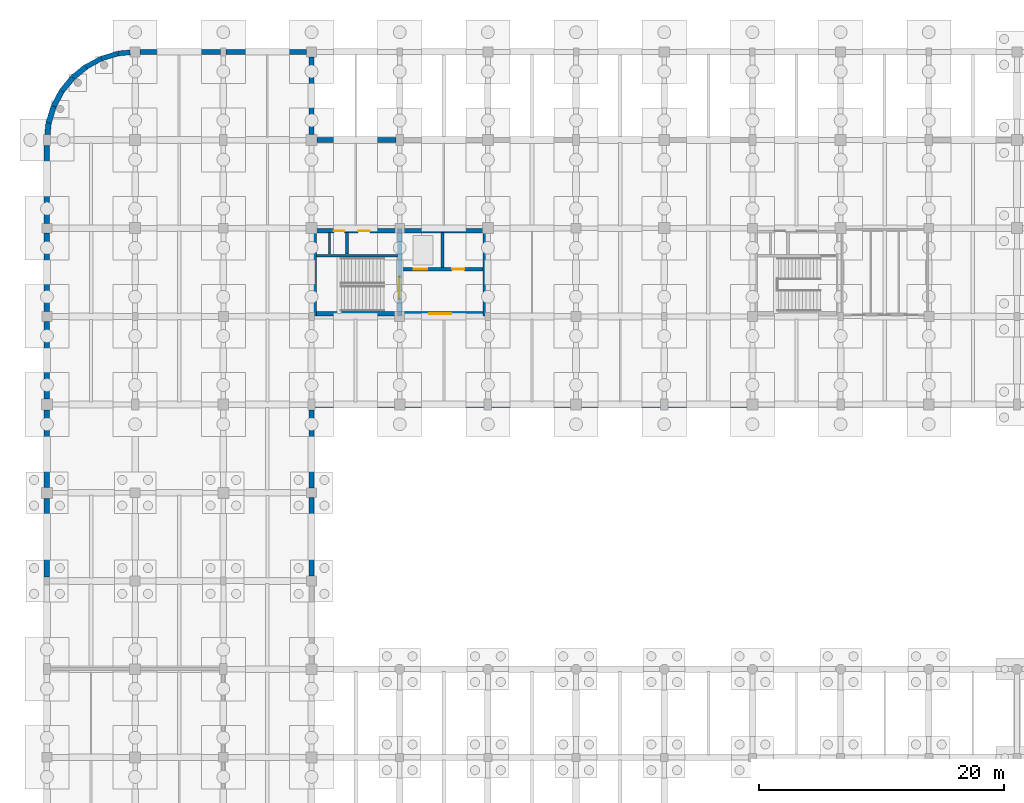
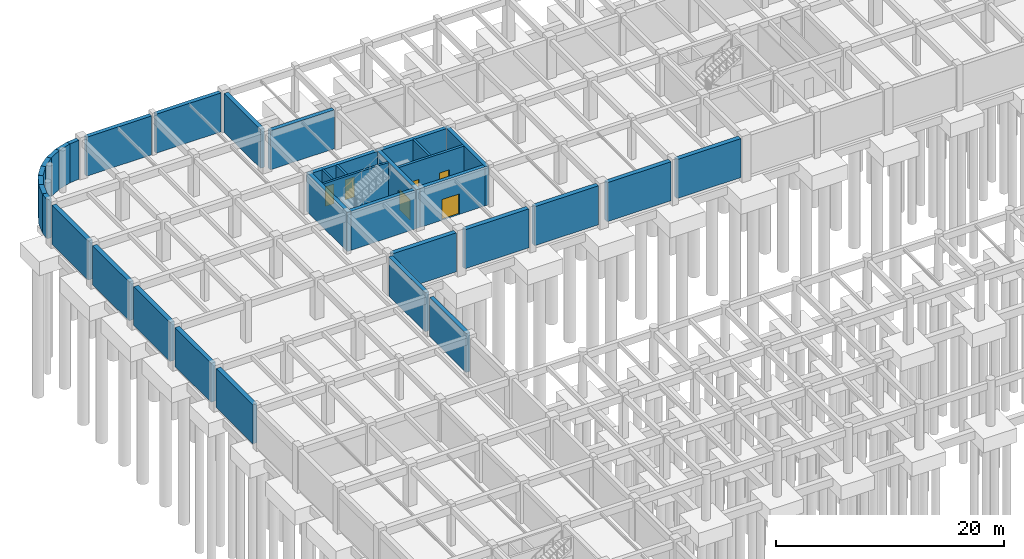
# One storey, part 39 of 47: 36 walls, 6 doors, 6 openings.
"""IFC4 building model written with IfcOpenShell, lengths in metres."""

import ifcopenshell
import ifcopenshell.guid

model = None  # the IFC model being written
_history = None  # IfcOwnerHistory: only IFC2X3 demands one
_inside = {}  # id of a spatial element -> (the spatial element, [elements in it])
_under = {}  # id of a project, library or spatial element -> (it, [spatial elements below it])
_declared = {}  # id of a project -> (the project, [libraries it declares])
_typed = {}  # id of a type object -> (the type object, [elements of that type])
_made_of = {}  # id of a material, layer set ... -> (it, [elements and type objects made of it])


def new_model(schema):
    """Start an empty IFC model of exactly this schema.

    Asked for "IFC4X3", IfcOpenShell would pick the latest addendum, in which some entities
    have other attributes; the version numbers below select the first issue.
    IFC2X3 requires an IfcOwnerHistory on every rooted entity: one is made here for all.
    """
    global model, _history
    if schema == "IFC4X3":
        model = ifcopenshell.file(schema_version=(4, 3, 0, 0))
    else:
        model = ifcopenshell.file(schema=schema)
    _inside.clear()
    _under.clear()
    _declared.clear()
    _typed.clear()
    _made_of.clear()
    _history = None
    if model.schema == "IFC2X3":
        org = make("IfcOrganization", Name="unknown")
        user = make(
            "IfcPersonAndOrganization",
            ThePerson=make("IfcPerson", FamilyName="unknown"),
            TheOrganization=org,
        )
        app = make(
            "IfcApplication",
            ApplicationDeveloper=org,
            Version="unknown",
            ApplicationFullName="unknown",
            ApplicationIdentifier="unknown",
        )
        _history = make(
            "IfcOwnerHistory",
            OwningUser=user,
            OwningApplication=app,
            ChangeAction="ADDED",
            CreationDate=0,
        )
    return model


def make(cls, **values):
    """One entity of the class cls with the attributes given. An attribute that is None is left unset."""
    return model.create_entity(
        cls, **{name: value for name, value in values.items() if value is not None}
    )


def rooted(cls, **values):
    """An entity with a GlobalId (a new one), such as an element, a storey or a relation."""
    return make(cls, GlobalId=ifcopenshell.guid.new(), OwnerHistory=_history, **values)


def si_unit(unit_type, name, prefix=None):
    """IfcSIUnit, for example si_unit("LENGTHUNIT", "METRE", prefix="MILLI")."""
    return make("IfcSIUnit", UnitType=unit_type, Prefix=prefix, Name=name)


def assignment(units):
    """IfcUnitAssignment: the units of a project."""
    return None if units is None else make("IfcUnitAssignment", Units=units)


def point(xyz):
    """IfcCartesianPoint."""
    return None if xyz is None else make("IfcCartesianPoint", Coordinates=xyz)


def direction(xyz):
    """IfcDirection."""
    return None if xyz is None else make("IfcDirection", DirectionRatios=xyz)


def frame(location, z_axis=None, x_axis=None):
    """IfcAxis2Placement3D, a coordinate frame: its origin and axes. An axis left out is left unset."""
    return make(
        "IfcAxis2Placement3D",
        Location=point(location),
        Axis=direction(z_axis),
        RefDirection=direction(x_axis),
    )


def frame_2d(location, x_axis=None):
    """IfcAxis2Placement2D, a coordinate frame in the plane: its origin and x axis."""
    return make(
        "IfcAxis2Placement2D", Location=point(location), RefDirection=direction(x_axis)
    )


def origin():
    """The frame at (0, 0, 0) with its axes left unset."""
    return frame((0.0, 0.0, 0.0))


def place(relative_to, where):
    """IfcLocalPlacement: puts the frame where relative to a parent placement (None: the world)."""
    return make(
        "IfcLocalPlacement", PlacementRelTo=relative_to, RelativePlacement=where
    )


def context(
    kind, dimensions, precision=None, world=None, true_north=None, identifier=None
):
    """IfcGeometricRepresentationContext, for example the 3D "Model" context."""
    return make(
        "IfcGeometricRepresentationContext",
        ContextIdentifier=identifier,
        ContextType=kind,
        CoordinateSpaceDimension=dimensions,
        Precision=precision,
        WorldCoordinateSystem=world,
        TrueNorth=true_north,
    )


def subcontext(parent, identifier, kind, view, scale=None):
    """IfcGeometricRepresentationSubContext, for example "Body" below "Model"."""
    return make(
        "IfcGeometricRepresentationSubContext",
        ContextIdentifier=identifier,
        ContextType=kind,
        ParentContext=parent,
        TargetScale=scale,
        TargetView=view,
    )


def project(units=None, contexts=None):
    """IfcProject with its units and contexts."""
    return rooted(
        "IfcProject",
        Name="project",
        RepresentationContexts=contexts,
        UnitsInContext=assignment(units),
    )


def spatial(cls, under=None, at=None, **own):
    """A site, building, storey or space (cls), placed at a placement, below another one or the project."""
    s = rooted(cls, ObjectPlacement=at, **own)
    if under is not None:
        _under.setdefault(under.id(), (under, []))[1].append(s)
    return s


def profile(cls, at=None, kind="AREA", **sizes):
    """A parametric profile (cls). Its sizes go by their IFC names, for example OverallWidth=200.0."""
    return make(cls, ProfileType=kind, Position=at, **sizes)


def rectangle(**sizes):
    """IfcRectangleProfileDef."""
    return profile("IfcRectangleProfileDef", **sizes)


def extrude(swept, where, along, depth):
    """IfcExtrudedAreaSolid: the profile swept, set in the frame where, extruded along a direction by depth."""
    return make(
        "IfcExtrudedAreaSolid",
        SweptArea=swept,
        Position=where,
        ExtrudedDirection=direction(along),
        Depth=depth,
    )


def shape(context_of_items, identifier, shape_type, items):
    """IfcShapeRepresentation: the items that make up one representation, for example the "Body"."""
    return make(
        "IfcShapeRepresentation",
        ContextOfItems=context_of_items,
        RepresentationIdentifier=identifier,
        RepresentationType=shape_type,
        Items=items,
    )


def material(Name=None, Category=None):
    """IfcMaterial."""
    return make("IfcMaterial", Name=Name, Category=Category)


def layer(
    of_material, thickness, ventilated=None, Name=None, Category=None, Priority=None
):
    """IfcMaterialLayer: one layer of a wall or slab, of a material (None: an air gap)."""
    return make(
        "IfcMaterialLayer",
        Material=of_material,
        LayerThickness=thickness,
        IsVentilated=ventilated,
        Name=Name,
        Category=Category,
        Priority=Priority,
    )


def layer_set(layers, Name=None):
    """IfcMaterialLayerSet."""
    return make("IfcMaterialLayerSet", MaterialLayers=layers, LayerSetName=Name)


def made_of(thing, what):
    """Note that an element or type object is made of a material, layer set ...; save() writes the relation."""
    if what is not None:
        _made_of.setdefault(what.id(), (what, []))[1].append(thing)
    return thing


def type_object(cls, material=None, **own):
    """A type object (cls), such as IfcWallType, which elements share."""
    return made_of(rooted(cls, **own), material)


def element(
    cls,
    number,
    at=None,
    inside=None,
    cuts=None,
    type_object=None,
    material=None,
    context=None,
    identifier="Body",
    shape_type=None,
    held_by="IfcProductDefinitionShape",
    body=None,
    shapes=None,
    **own,
):
    """One element of the class cls, such as IfcWall. Its Tag is "e" and its number.

    at: its placement. inside: the storey or other place that contains it. cuts: it is an
    opening in that element (IfcRelVoidsElement). A single representation is given by context,
    identifier, shape_type and body (its items); several are given by shapes. held_by: the class
    of the entity that holds the representations. save() writes the other relations.
    """
    e = rooted(cls, Tag="e%d" % number, ObjectPlacement=at, **own)
    if body is not None:
        shapes = [shape(context, identifier, shape_type, body)]
    if shapes is not None:
        e.Representation = make(held_by, Representations=shapes)
    if inside is not None:
        _inside.setdefault(inside.id(), (inside, []))[1].append(e)
    if cuts is not None:
        rooted(
            "IfcRelVoidsElement", RelatingBuildingElement=cuts, RelatedOpeningElement=e
        )
    if type_object is not None:
        _typed.setdefault(type_object.id(), (type_object, []))[1].append(e)
    return made_of(e, material)


def fill(opening, filler):
    """IfcRelFillsElement: the door or window that sits in an opening."""
    return rooted(
        "IfcRelFillsElement",
        RelatingOpeningElement=opening,
        RelatedBuildingElement=filler,
    )


def aggregate(whole, parts):
    """IfcRelAggregates: a whole, such as a stair, and the parts it consists of."""
    return rooted("IfcRelAggregates", RelatingObject=whole, RelatedObjects=parts)


def save(model, path):
    """Write the relations noted so far, then the file.

    IfcRelAggregates (storeys below a building ...), IfcRelContainedInSpatialStructure (elements
    in a storey), IfcRelDefinesByType, IfcRelAssociatesMaterial and IfcRelDeclares: one each for
    every whole, place, type object, material and project.
    """
    for whole, parts in _under.values():
        aggregate(whole, parts)
    for where, things in _inside.values():
        rooted(
            "IfcRelContainedInSpatialStructure",
            RelatedElements=things,
            RelatingStructure=where,
        )
    for kind, things in _typed.values():
        rooted("IfcRelDefinesByType", RelatedObjects=things, RelatingType=kind)
    for what, things in _made_of.values():
        rooted("IfcRelAssociatesMaterial", RelatedObjects=things, RelatingMaterial=what)
    for by, libraries in _declared.values():
        rooted("IfcRelDeclares", RelatingContext=by, RelatedDefinitions=libraries)
    model.write(path)


model = new_model("IFC4")

# Units and contexts
model_context = context("Model", 3, precision=1e-05, world=origin(), true_north=direction((0.0, 1.0)))
body_context = subcontext(model_context, "Body", "Model", "MODEL_VIEW")
ifc_project = project(units=[si_unit("LENGTHUNIT", "METRE"), si_unit("AREAUNIT", "SQUARE_METRE"), si_unit("VOLUMEUNIT", "CUBIC_METRE"), si_unit("PLANEANGLEUNIT", "RADIAN"), si_unit("MASSUNIT", "GRAM", prefix="KILO")], contexts=[model_context])

# Site, building, storey
site_placement = place(None, origin())
site = spatial("IfcSite", under=ifc_project, at=site_placement, CompositionType="ELEMENT")
building_placement = place(site_placement, origin())
building = spatial("IfcBuilding", under=site, at=building_placement, Name="Thalmaran Polytechnic", CompositionType="ELEMENT")
storey_placement = place(building_placement, frame((0.0, 0.0, -4.5)))
storey = spatial("IfcBuildingStorey", under=building, at=storey_placement, Name="B1", CompositionType="ELEMENT", Elevation=-4.5)

# Walls
ifc_material_1 = material(Name="Autoclaved aerated masonry", Category="masonry")
ifc_layer_1 = layer(ifc_material_1, 0.25, Name="Autoclaved aerated masonry")
ifc_layer_set_1 = layer_set([ifc_layer_1], Name="Autoclaved aerated masonry")
wall_type_1 = type_object("IfcWallType", Name="WL-IW01", PredefinedType="PARTITIONING", material=ifc_layer_set_1)
wall_1_placement = place(storey_placement, frame((32.300048828125, 104.780029296875, 0.0), z_axis=(0.0, 0.0, 1.0), x_axis=(0.0, 1.0, 0.0)))
element("IfcWall", 1, at=wall_1_placement, inside=storey, type_object=wall_type_1, Name="Core C2 Shaft Dividing Wall B1", PredefinedType="PARTITIONING", context=body_context, shape_type="SweptSolid", body=[
    extrude(rectangle(XDim=2.869873046875, YDim=0.25, at=frame_2d((1.43505859375, 0.0))), origin(), (0.0, 0.0, 1.0), 4.169921875),
])
ifc_layer_2 = layer(ifc_material_1, 0.22998046875, Name="Autoclaved aerated masonry")
ifc_layer_set_2 = layer_set([ifc_layer_2], Name="Autoclaved aerated masonry")
wall_type_2 = type_object("IfcWallType", Name="WL-IW02", PredefinedType="PARTITIONING", material=ifc_layer_set_2)
wall_2_placement = place(storey_placement, frame((24.5, 105.89990234375, 0.0), z_axis=(0.0, 0.0, 1.0), x_axis=(0.0, 1.0, 0.0)))
element("IfcWall", 2, at=wall_2_placement, inside=storey, type_object=wall_type_2, Name="Core C2 Riser Partition B1", PredefinedType="PARTITIONING", context=body_context, shape_type="SweptSolid", body=[
    extrude(rectangle(XDim=1.739990234375, YDim=0.22998046875, at=frame_2d((0.8701171875, 0.0))), origin(), (0.0, 0.0, 1.0), 4.169921875),
])
ifc_layer_3 = layer(ifc_material_1, 0.179931640625, Name="Autoclaved aerated masonry")
ifc_layer_set_3 = layer_set([ifc_layer_3], Name="Autoclaved aerated masonry")
wall_type_3 = type_object("IfcWallType", Name="WL-IW04", PredefinedType="PARTITIONING", material=ifc_layer_set_3)
wall_3_placement = place(storey_placement, frame((23.080078125, 105.8798828125, 0.0), z_axis=(0.0, 0.0, 1.0), x_axis=(0.0, 1.0, 0.0)))
element("IfcWall", 3, at=wall_3_placement, inside=storey, type_object=wall_type_3, Name="Core C2 Riser Shaft Enclosure Wall B1", PredefinedType="PARTITIONING", context=body_context, shape_type="SweptSolid", body=[
    extrude(rectangle(XDim=1.760009765625, YDim=0.179931640625, at=frame_2d((0.8798828125, 0.0))), origin(), (0.0, 0.0, 1.0), 4.169921875),
])
ifc_material_2 = material(Name="Concrete C40/50", Category="concrete")
ifc_layer_4 = layer(ifc_material_2, 0.449951171875, Name="Concrete C40/50")
ifc_layer_set_4 = layer_set([ifc_layer_4], Name="Concrete C40/50")
wall_type_4 = type_object("IfcWallType", Name="WL-RW01", PredefinedType="SOLIDWALL", material=ifc_layer_set_4)
wall_4_placement = place(storey_placement, frame((0.0, 79.52490234375, 0.0), z_axis=(0.0, 0.0, 1.0), x_axis=(0.0, 1.0, 0.0)))
element("IfcWall", 4, at=wall_4_placement, inside=storey, type_object=wall_type_4, Name="Basement Retaining Wall B1-013", PredefinedType="SOLIDWALL", context=body_context, shape_type="SweptSolid", body=[
    extrude(rectangle(XDim=6.425048828125, YDim=0.449951171875, at=frame_2d((3.21240234375, 0.0))), origin(), (0.0, 0.0, 1.0), 4.169921875),
])
wall_5_placement = place(storey_placement, frame((0.0, 86.85009765625, 0.0), z_axis=(0.0, 0.0, 1.0), x_axis=(0.0, 1.0, 0.0)))
element("IfcWall", 5, at=wall_5_placement, inside=storey, type_object=wall_type_4, Name="Basement Retaining Wall B1-014", PredefinedType="SOLIDWALL", context=body_context, shape_type="SweptSolid", body=[
    extrude(rectangle(XDim=6.309814453125, YDim=0.449951171875, at=frame_2d((3.15478515625, 0.0))), origin(), (0.0, 0.0, 1.0), 4.169921875),
])
wall_6_placement = place(storey_placement, frame((0.0, 94.0400390625, 0.0), z_axis=(0.0, 0.0, 1.0), x_axis=(0.0, 1.0, 0.0)))
element("IfcWall", 6, at=wall_6_placement, inside=storey, type_object=wall_type_4, Name="Basement Retaining Wall B1-015", PredefinedType="SOLIDWALL", context=body_context, shape_type="SweptSolid", body=[
    extrude(rectangle(XDim=6.349853515625, YDim=0.449951171875, at=frame_2d((3.1748046875, 0.0))), origin(), (0.0, 0.0, 1.0), 4.169921875),
])
wall_7_placement = place(storey_placement, frame((0.0, 101.2099609375, 0.0), z_axis=(0.0, 0.0, 1.0), x_axis=(0.0, 1.0, 0.0)))
element("IfcWall", 7, at=wall_7_placement, inside=storey, type_object=wall_type_4, Name="Basement Retaining Wall B1-016", PredefinedType="SOLIDWALL", context=body_context, shape_type="SweptSolid", body=[
    extrude(rectangle(XDim=6.39013671875, YDim=0.449951171875, at=frame_2d((3.195068359375, 0.0))), origin(), (0.0, 0.0, 1.0), 4.169921875),
])
wall_8_placement = place(storey_placement, frame((0.0, 108.39990234375, 0.0), z_axis=(0.0, 0.0, 1.0), x_axis=(0.0, 1.0, 0.0)))
element("IfcWall", 8, at=wall_8_placement, inside=storey, type_object=wall_type_4, Name="Basement Retaining Wall B1-017", PredefinedType="SOLIDWALL", context=body_context, shape_type="SweptSolid", body=[
    extrude(rectangle(XDim=6.35009765625, YDim=0.449951171875, at=frame_2d((3.175048828125, 0.0))), origin(), (0.0, 0.0, 1.0), 4.169921875),
])
wall_9_placement = place(storey_placement, frame((0.044189453125, 115.64794921875, 0.0), z_axis=(0.0, 0.0, 1.0), x_axis=(0.098020206159, 0.99518442471, 0.0)))
element("IfcWall", 9, at=wall_9_placement, inside=storey, type_object=wall_type_4, Name="Basement Retaining Wall B1-018", PredefinedType="SOLIDWALL", context=body_context, shape_type="SweptSolid", body=[
    extrude(rectangle(XDim=0.96142578125, YDim=0.449951171875, at=frame_2d((0.480712890625, 0.0))), origin(), (0.0, 0.0, 1.0), 4.169921875),
])
for number, where, z_axis, x_axis, name in (
    (10, (0.138427734375, 116.604736328125, 0.0), (0.0, 0.0, 1.0), (0.290266641956, 0.956945806495, 0.0), "Basement Retaining Wall B1-019"),
    (11, (0.548095703125, 117.955322265625, 0.0), (0.0, 0.0, 1.0), (0.471333199182, 0.881955222984, 0.0), "Basement Retaining Wall B1-020"),
):
    element("IfcWall", number, at=place(storey_placement, frame(where, z_axis=z_axis, x_axis=x_axis)), inside=storey, type_object=wall_type_4, Name=name, PredefinedType="SOLIDWALL", context=body_context, shape_type="SweptSolid", body=[
        extrude(rectangle(XDim=1.411376953125, YDim=0.449951171875, at=frame_2d((0.70556640625, 0.0))), origin(), (0.0, 0.0, 1.0), 4.169921875),
    ])
wall_10_placement = place(storey_placement, frame((1.21337890625, 119.2001953125, 0.0), z_axis=(0.0, 0.0, 1.0), x_axis=(0.634433227965, 0.772977670605, 0.0)))
element("IfcWall", 12, at=wall_10_placement, inside=storey, type_object=wall_type_4, Name="Basement Retaining Wall B1-021", PredefinedType="SOLIDWALL", context=body_context, shape_type="SweptSolid", body=[
    extrude(rectangle(XDim=1.41162109375, YDim=0.449951171875, at=frame_2d((0.705810546875, 0.0))), origin(), (0.0, 0.0, 1.0), 4.169921875),
])
wall_11_placement = place(storey_placement, frame((2.10888671875, 120.291259765625, 0.0), z_axis=(0.0, 0.0, 1.0), x_axis=(0.773062495189, 0.63432986571, 0.0)))
element("IfcWall", 13, at=wall_11_placement, inside=storey, type_object=wall_type_4, Name="Basement Retaining Wall B1-022", PredefinedType="SOLIDWALL", context=body_context, shape_type="SweptSolid", body=[
    extrude(rectangle(XDim=1.411376953125, YDim=0.449951171875, at=frame_2d((0.70556640625, 0.0))), origin(), (0.0, 0.0, 1.0), 4.169921875),
])
wall_12_placement = place(storey_placement, frame((57.159912109375, 93.60009765625, 0.0), z_axis=(0.0, 0.0, 1.0), x_axis=(-1.0, 0.0, 0.0)))
element("IfcWall", 14, at=wall_12_placement, inside=storey, type_object=wall_type_4, Name="Basement Retaining Wall B1-073", PredefinedType="SOLIDWALL", context=body_context, shape_type="SweptSolid", body=[
    extrude(rectangle(XDim=6.4599609375, YDim=0.449951171875, at=frame_2d((3.22998046875, 0.0))), origin(), (0.0, 0.0, 1.0), 4.169921875),
])
wall_13_placement = place(storey_placement, frame((50.10009765625, 93.60009765625, 0.0), z_axis=(0.0, 0.0, 1.0), x_axis=(-1.0, 0.0, 0.0)))
element("IfcWall", 15, at=wall_13_placement, inside=storey, type_object=wall_type_4, Name="Basement Retaining Wall B1-074", PredefinedType="SOLIDWALL", context=body_context, shape_type="SweptSolid", body=[
    extrude(rectangle(XDim=6.460205078125, YDim=0.449951171875, at=frame_2d((3.22998046875, 0.0))), origin(), (0.0, 0.0, 1.0), 4.169921875),
])
for number, where, z_axis, x_axis, name in (
    (16, (42.760009765625, 93.60009765625, 0.0), (0.0, 0.0, 1.0), (-1.0, 0.0, 0.0), "Basement Retaining Wall B1-075"),
    (17, (35.699951171875, 93.60009765625, 0.0), (0.0, 0.0, 1.0), (-1.0, 0.0, 0.0), "Basement Retaining Wall B1-076"),
):
    element("IfcWall", number, at=place(storey_placement, frame(where, z_axis=z_axis, x_axis=x_axis)), inside=storey, type_object=wall_type_4, Name=name, PredefinedType="SOLIDWALL", context=body_context, shape_type="SweptSolid", body=[
        extrude(rectangle(XDim=6.4599609375, YDim=0.449951171875, at=frame_2d((3.22998046875, 0.0))), origin(), (0.0, 0.0, 1.0), 4.169921875),
    ])
wall_14_placement = place(storey_placement, frame((28.360107421875, 93.60009765625, 0.0), z_axis=(0.0, 0.0, 1.0), x_axis=(-1.0, 0.0, 0.0)))
element("IfcWall", 18, at=wall_14_placement, inside=storey, type_object=wall_type_4, Name="Basement Retaining Wall B1-077", PredefinedType="SOLIDWALL", context=body_context, shape_type="SweptSolid", body=[
    extrude(rectangle(XDim=6.460205078125, YDim=0.449951171875, at=frame_2d((3.22998046875, 0.0))), origin(), (0.0, 0.0, 1.0), 4.169921875),
])
ifc_layer_5 = layer(ifc_material_2, 0.39990234375, Name="Concrete C40/50")
ifc_layer_set_5 = layer_set([ifc_layer_5], Name="Concrete C40/50")
wall_type_5 = type_object("IfcWallType", Name="WL-RW02", PredefinedType="SOLIDWALL", material=ifc_layer_set_5)
wall_15_placement = place(storey_placement, frame((3.199951171875, 121.1865234375, 0.0), z_axis=(0.0, 0.0, 1.0), x_axis=(0.881844864465, 0.471539643102, 0.0)))
element("IfcWall", 19, at=wall_15_placement, inside=storey, type_object=wall_type_5, Name="Basement Retaining Wall B1-023", PredefinedType="SOLIDWALL", context=body_context, shape_type="SweptSolid", body=[
    extrude(rectangle(XDim=1.411376953125, YDim=0.39990234375, at=frame_2d((0.70556640625, 0.0))), origin(), (0.0, 0.0, 1.0), 4.169921875),
])
wall_16_placement = place(storey_placement, frame((4.444580078125, 121.85205078125, 0.0), z_axis=(0.0, 0.0, 1.0), x_axis=(0.95696037757, 0.290218599957, 0.0)))
element("IfcWall", 20, at=wall_16_placement, inside=storey, type_object=wall_type_5, Name="Basement Retaining Wall B1-024", PredefinedType="SOLIDWALL", context=body_context, shape_type="SweptSolid", body=[
    extrude(rectangle(XDim=1.41162109375, YDim=0.39990234375, at=frame_2d((0.705810546875, 0.0))), origin(), (0.0, 0.0, 1.0), 4.169921875),
])
wall_17_placement = place(storey_placement, frame((5.79541015625, 122.26171875, 0.0), z_axis=(0.0, 0.0, 1.0), x_axis=(0.995185723262, 0.098007021252, 0.0)))
element("IfcWall", 21, at=wall_17_placement, inside=storey, type_object=wall_type_5, Name="Basement Retaining Wall B1-025", PredefinedType="SOLIDWALL", context=body_context, shape_type="SweptSolid", body=[
    extrude(rectangle(XDim=1.00146484375, YDim=0.39990234375, at=frame_2d((0.500732421875, 0.0))), origin(), (0.0, 0.0, 1.0), 4.169921875),
])
for number, where, z_axis, x_axis, name in (
    (22, (7.610107421875, 122.39990234375, 0.0), (0.0, 0.0, 1.0), (1.0, 0.0, 0.0), "Basement Retaining Wall B1-026"),
    (23, (14.625, 122.39990234375, 0.0), (0.0, 0.0, 1.0), (1.0, 0.0, 0.0), "Basement Retaining Wall B1-027"),
):
    element("IfcWall", number, at=place(storey_placement, frame(where, z_axis=z_axis, x_axis=x_axis)), inside=storey, type_object=wall_type_5, Name=name, PredefinedType="SOLIDWALL", context=body_context, shape_type="SweptSolid", body=[
        extrude(rectangle(XDim=6.56494140625, YDim=0.39990234375, at=frame_2d((3.282470703125, 0.0))), origin(), (0.0, 0.0, 1.0), 4.169921875),
    ])
wall_18_placement = place(storey_placement, frame((21.60009765625, 121.989990234375, 0.0), z_axis=(0.0, 0.0, 1.0), x_axis=(0.0, -1.0, 0.0)))
element("IfcWall", 24, at=wall_18_placement, inside=storey, type_object=wall_type_5, Name="Basement Retaining Wall B1-028", PredefinedType="SOLIDWALL", context=body_context, shape_type="SweptSolid", body=[
    extrude(rectangle(XDim=6.35009765625, YDim=0.39990234375, at=frame_2d((3.175048828125, 0.0))), origin(), (0.0, 0.0, 1.0), 4.169921875),
])
wall_19_placement = place(storey_placement, frame((22.0400390625, 115.199951171875, 0.0), z_axis=(0.0, 0.0, 1.0), x_axis=(1.0, 0.0, 0.0)))
element("IfcWall", 25, at=wall_19_placement, inside=storey, type_object=wall_type_5, Name="Basement Retaining Wall B1-029", PredefinedType="SOLIDWALL", context=body_context, shape_type="SweptSolid", body=[
    extrude(rectangle(XDim=6.4599609375, YDim=0.39990234375, at=frame_2d((3.22998046875, 0.0))), origin(), (0.0, 0.0, 1.0), 4.169921875),
])
wall_20_placement = place(storey_placement, frame((21.60009765625, 93.14990234375, 0.0), z_axis=(0.0, 0.0, 1.0), x_axis=(0.0, -1.0, 0.0)))
element("IfcWall", 26, at=wall_20_placement, inside=storey, type_object=wall_type_5, Name="Basement Retaining Wall B1-078", PredefinedType="SOLIDWALL", context=body_context, shape_type="SweptSolid", body=[
    extrude(rectangle(XDim=6.349853515625, YDim=0.39990234375, at=frame_2d((3.1748046875, 0.0))), origin(), (0.0, 0.0, 1.0), 4.169921875),
])
wall_21_placement = place(storey_placement, frame((21.60009765625, 86.0, 0.0), z_axis=(0.0, 0.0, 1.0), x_axis=(0.0, -1.0, 0.0)))
element("IfcWall", 27, at=wall_21_placement, inside=storey, type_object=wall_type_5, Name="Basement Retaining Wall B1-079", PredefinedType="SOLIDWALL", context=body_context, shape_type="SweptSolid", body=[
    extrude(rectangle(XDim=6.389892578125, YDim=0.39990234375, at=frame_2d((3.19482421875, 0.0))), origin(), (0.0, 0.0, 1.0), 4.169921875),
])
ifc_material_3 = material(Name="Concrete C50/60", Category="concrete")
ifc_layer_6 = layer(ifc_material_3, 0.3798828125, Name="Concrete C50/60")
ifc_layer_set_6 = layer_set([ifc_layer_6], Name="Concrete C50/60")
wall_type_6 = type_object("IfcWallType", Name="WL-SW02", PredefinedType="SHEAR", material=ifc_layer_set_6)
wall_22_placement = place(storey_placement, frame((22.010009765625, 101.02001953125, 0.0), z_axis=(0.0, 0.0, 1.0), x_axis=(1.0, 0.0, 0.0)))
element("IfcWall", 28, at=wall_22_placement, inside=storey, type_object=wall_type_6, Name="Core C2 South Shear Wall B1", PredefinedType="SHEAR", context=body_context, shape_type="SweptSolid", body=[
    extrude(rectangle(XDim=6.60009765625, YDim=0.3798828125, at=frame_2d((3.300048828125, 0.0))), origin(), (0.0, 0.0, 1.0), 4.169921875),
])
wall_23_placement = place(storey_placement, frame((21.820068359375, 107.969970703125, 0.0), z_axis=(0.0, 0.0, 1.0), x_axis=(0.0, -1.0, 0.0)))
element("IfcWall", 29, at=wall_23_placement, inside=storey, type_object=wall_type_6, Name="Core C2 West Shear Wall B1", PredefinedType="SHEAR", context=body_context, shape_type="SweptSolid", body=[
    extrude(rectangle(XDim=7.139892578125, YDim=0.3798828125, at=frame_2d((3.56982421875, 0.0))), origin(), (0.0, 0.0, 1.0), 4.169921875),
])

# Wall, openings, doors
wall_24_placement = place(storey_placement, frame((22.010009765625, 107.780029296875, 0.0), z_axis=(0.0, 0.0, 1.0), x_axis=(1.0, 0.0, 0.0)))
wall_24 = element("IfcWall", 30, at=wall_24_placement, inside=storey, type_object=wall_type_6, Name="Core C2 North Shear Wall B1", PredefinedType="SHEAR", context=body_context, shape_type="SweptSolid", body=[
    extrude(rectangle(XDim=6.60009765625, YDim=0.3798828125, at=frame_2d((3.300048828125, 0.0))), origin(), (0.0, 0.0, 1.0), 4.169921875),
])
opening_1_placement = place(wall_24_placement, frame((1.419921875, 0.0, 0.0)))
opening_1 = element("IfcOpeningElement", 31, at=opening_1_placement, cuts=wall_24, Name="Opening DR-C2-B1-R", PredefinedType="OPENING", context=body_context, shape_type="SweptSolid", body=[
    extrude(rectangle(XDim=0.85009765625, YDim=2.10009765625, at=frame_2d((0.425048828125, 1.050048828125))), frame((0.0, 0.199951171875, 0.0), z_axis=(0.0, -1.0, 0.0), x_axis=(1.0, 0.0, 0.0)), (0.0, 0.0, 1.0), 0.39990234375),
])
opening_2_placement = place(wall_24_placement, frame((3.39990234375, 0.0, 0.0)))
opening_2 = element("IfcOpeningElement", 32, at=opening_2_placement, cuts=wall_24, Name="Opening ED-C2-B1-E", PredefinedType="OPENING", context=body_context, shape_type="SweptSolid", body=[
    extrude(rectangle(XDim=0.949951171875, YDim=2.14990234375, at=frame_2d((0.47509765625, 1.074951171875))), frame((0.0, 0.199951171875, 0.0), z_axis=(0.0, -1.0, 0.0), x_axis=(1.0, 0.0, 0.0)), (0.0, 0.0, 1.0), 0.39990234375),
])
ifc_material_4 = material(Name="Powder-coated fire-rated steel", Category="steel")
door_type_1 = type_object("IfcDoorType", Name="DR-FD08", OperationType="NOTDEFINED", PredefinedType="DOOR", material=ifc_material_4)
door_1_placement = place(opening_2_placement, origin())
door_1 = element("IfcDoor", 33, at=door_1_placement, inside=storey, type_object=door_type_1, Name="Electrical Riser Door C2 B1", OperationType="SINGLE_SWING_LEFT", OverallHeight=2.14990234375, OverallWidth=0.949951171875, PredefinedType="DOOR", context=body_context, shape_type="SweptSolid", body=[
    extrude(rectangle(XDim=0.949951171875, YDim=2.14990234375, at=frame_2d((0.47509765625, 1.074951171875))), frame((0.0, 0.02490234375, 0.0), z_axis=(0.0, -1.0, 0.0), x_axis=(1.0, 0.0, 0.0)), (0.0, 0.0, 1.0), 0.050048828125),
])
fill(opening_2, door_1)
door_type_2 = type_object("IfcDoorType", Name="DR-FD09", OperationType="NOTDEFINED", PredefinedType="DOOR", material=ifc_material_4)
door_2_placement = place(opening_1_placement, origin())
door_2 = element("IfcDoor", 34, at=door_2_placement, inside=storey, type_object=door_type_2, Name="Riser Access Fire Door C2 B1", OperationType="SINGLE_SWING_LEFT", OverallHeight=2.10009765625, OverallWidth=0.85009765625, PredefinedType="DOOR", context=body_context, shape_type="SweptSolid", body=[
    extrude(rectangle(XDim=0.85009765625, YDim=2.10009765625, at=frame_2d((0.425048828125, 1.050048828125))), frame((0.0, 0.02490234375, 0.0), z_axis=(0.0, -1.0, 0.0), x_axis=(1.0, 0.0, 0.0)), (0.0, 0.0, 1.0), 0.050048828125),
])
fill(opening_1, door_2)

# Wall
wall_25_placement = place(storey_placement, frame((22.010009765625, 105.760009765625, 0.0), z_axis=(0.0, 0.0, 1.0), x_axis=(1.0, 0.0, 0.0)))
element("IfcWall", 35, at=wall_25_placement, inside=storey, type_object=wall_type_6, Name="Core C2 Stair Partition B1", PredefinedType="SHEAR", context=body_context, shape_type="SweptSolid", body=[
    extrude(rectangle(XDim=6.60009765625, YDim=0.219970703125, at=frame_2d((3.300048828125, 0.0))), origin(), (0.0, 0.0, 1.0), 4.169921875),
])

# Wall, opening, door
wall_26_placement = place(storey_placement, frame((28.800048828125, 100.830078125, 0.0), z_axis=(0.0, 0.0, 1.0), x_axis=(0.0, 1.0, 0.0)))
wall_26 = element("IfcWall", 36, at=wall_26_placement, inside=storey, type_object=wall_type_6, Name="Core C2 Stair-Lobby Dividing Shear Wall B1", PredefinedType="SHEAR", context=body_context, shape_type="SweptSolid", body=[
    extrude(rectangle(XDim=7.139892578125, YDim=0.3798828125, at=frame_2d((3.56982421875, 0.0))), origin(), (0.0, 0.0, 1.0), 4.169921875),
])
opening_3_placement = place(wall_26_placement, frame((1.39990234375, 0.0, 0.0)))
opening_3 = element("IfcOpeningElement", 37, at=opening_3_placement, cuts=wall_26, Name="Opening SD-ST2-B1", PredefinedType="OPENING", context=body_context, shape_type="SweptSolid", body=[
    extrude(rectangle(XDim=1.800048828125, YDim=2.199951171875, at=frame_2d((0.89990234375, 1.10009765625))), frame((0.0, 0.199951171875, 0.0), z_axis=(0.0, -1.0, 0.0), x_axis=(1.0, 0.0, 0.0)), (0.0, 0.0, 1.0), 0.39990234375),
])
door_type_3 = type_object("IfcDoorType", Name="DR-FD03", OperationType="NOTDEFINED", PredefinedType="DOOR", material=ifc_material_4)
door_3_placement = place(opening_3_placement, origin())
door_3 = element("IfcDoor", 38, at=door_3_placement, inside=storey, type_object=door_type_3, Name="Firefighting Lobby to Exit Stair Door ST2 B1", OperationType="SINGLE_SWING_RIGHT", OverallHeight=2.199951171875, OverallWidth=1.800048828125, PredefinedType="DOOR", context=body_context, shape_type="SweptSolid", body=[
    extrude(rectangle(XDim=1.800048828125, YDim=2.199951171875, at=frame_2d((0.89990234375, 1.10009765625))), frame((0.0, 0.02490234375, 0.0), z_axis=(0.0, -1.0, 0.0), x_axis=(1.0, 0.0, 0.0)), (0.0, 0.0, 1.0), 0.050048828125),
])
fill(opening_3, door_3)

wall_27_placement = place(storey_placement, frame((28.989990234375, 101.02001953125, 0.0), z_axis=(0.0, 0.0, 1.0), x_axis=(1.0, 0.0, 0.0)))
wall_27 = element("IfcWall", 39, at=wall_27_placement, inside=storey, type_object=wall_type_6, Name="Core C2 Lobby South Wall B1", PredefinedType="SHEAR", context=body_context, shape_type="SweptSolid", body=[
    extrude(rectangle(XDim=6.60009765625, YDim=0.3798828125, at=frame_2d((3.300048828125, 0.0))), origin(), (0.0, 0.0, 1.0), 4.169921875),
])
opening_4_placement = place(wall_27_placement, frame((2.219970703125, 0.0, 0.0)))
opening_4 = element("IfcOpeningElement", 40, at=opening_4_placement, cuts=wall_27, Name="Opening FD-C2-B1", PredefinedType="OPENING", context=body_context, shape_type="SweptSolid", body=[
    extrude(rectangle(XDim=1.800048828125, YDim=2.199951171875, at=frame_2d((0.89990234375, 1.10009765625))), frame((0.0, 0.199951171875, 0.0), z_axis=(0.0, -1.0, 0.0), x_axis=(1.0, 0.0, 0.0)), (0.0, 0.0, 1.0), 0.39990234375),
])
door_type_4 = type_object("IfcDoorType", Name="DR-FD01", OperationType="NOTDEFINED", PredefinedType="DOOR", material=ifc_material_4)
door_4_placement = place(opening_4_placement, origin())
door_4 = element("IfcDoor", 41, at=door_4_placement, inside=storey, type_object=door_type_4, Name="Firefighting Lift Lobby Entrance Door C2 B1", OperationType="DOUBLE_DOOR_SINGLE_SWING", OverallHeight=2.199951171875, OverallWidth=1.800048828125, PredefinedType="DOOR", context=body_context, shape_type="SweptSolid", body=[
    extrude(rectangle(XDim=1.800048828125, YDim=2.199951171875, at=frame_2d((0.89990234375, 1.10009765625))), frame((0.0, 0.02490234375, 0.0), z_axis=(0.0, -1.0, 0.0), x_axis=(1.0, 0.0, 0.0)), (0.0, 0.0, 1.0), 0.050048828125),
])
fill(opening_4, door_4)

# Walls
wall_28_placement = place(storey_placement, frame((35.780029296875, 100.830078125, 0.0), z_axis=(0.0, 0.0, 1.0), x_axis=(0.0, 1.0, 0.0)))
element("IfcWall", 42, at=wall_28_placement, inside=storey, type_object=wall_type_6, Name="Core C2 Lobby East Shear Wall B1", PredefinedType="SHEAR", context=body_context, shape_type="SweptSolid", body=[
    extrude(rectangle(XDim=7.139892578125, YDim=0.3798828125, at=frame_2d((3.56982421875, 0.0))), origin(), (0.0, 0.0, 1.0), 4.169921875),
])
wall_29_placement = place(storey_placement, frame((28.989990234375, 107.780029296875, 0.0), z_axis=(0.0, 0.0, 1.0), x_axis=(1.0, 0.0, 0.0)))
element("IfcWall", 43, at=wall_29_placement, inside=storey, type_object=wall_type_6, Name="Core C2 Lift Shaft Back Shear Wall B1", PredefinedType="SHEAR", context=body_context, shape_type="SweptSolid", body=[
    extrude(rectangle(XDim=6.60009765625, YDim=0.3798828125, at=frame_2d((3.300048828125, 0.0))), origin(), (0.0, 0.0, 1.0), 4.169921875),
])

# Wall, openings, doors
wall_30_placement = place(storey_placement, frame((28.989990234375, 104.64990234375, 0.0), z_axis=(0.0, 0.0, 1.0), x_axis=(1.0, 0.0, 0.0)))
wall_30 = element("IfcWall", 44, at=wall_30_placement, inside=storey, type_object=wall_type_6, Name="Core C2 Lift Landing Front Wall B1", PredefinedType="SHEAR", context=body_context, shape_type="SweptSolid", body=[
    extrude(rectangle(XDim=6.60009765625, YDim=0.260009765625, at=frame_2d((3.300048828125, 0.0))), origin(), (0.0, 0.0, 1.0), 4.169921875),
])
opening_5_placement = place(wall_30_placement, frame((0.949951171875, 0.0, 0.0)))
opening_5 = element("IfcOpeningElement", 45, at=opening_5_placement, cuts=wall_30, Name="Opening LD-FL-02-B1", PredefinedType="OPENING", context=body_context, shape_type="SweptSolid", body=[
    extrude(rectangle(XDim=1.10009765625, YDim=2.199951171875, at=frame_2d((0.550048828125, 1.10009765625))), frame((0.0, 0.139892578125, 0.0), z_axis=(0.0, -1.0, 0.0), x_axis=(1.0, 0.0, 0.0)), (0.0, 0.0, 1.0), 0.280029296875),
])
opening_6_placement = place(wall_30_placement, frame((4.10009765625, 0.0, 0.0)))
opening_6 = element("IfcOpeningElement", 46, at=opening_6_placement, cuts=wall_30, Name="Opening LD-PL-03-B1", PredefinedType="OPENING", context=body_context, shape_type="SweptSolid", body=[
    extrude(rectangle(XDim=1.0, YDim=2.14990234375, at=frame_2d((0.5, 1.074951171875))), frame((0.0, 0.139892578125, 0.0), z_axis=(0.0, -1.0, 0.0), x_axis=(1.0, 0.0, 0.0)), (0.0, 0.0, 1.0), 0.280029296875),
])
ifc_material_5 = material(Name="Brushed stainless steel lift door", Category="steel")
door_type_5 = type_object("IfcDoorType", Name="DR-LD01", OperationType="NOTDEFINED", PredefinedType="DOOR", material=ifc_material_5)
door_5_placement = place(opening_5_placement, origin())
door_5 = element("IfcDoor", 47, at=door_5_placement, inside=storey, type_object=door_type_5, Name="Lift Landing Door FL-02 B1", OperationType="SLIDING_TO_LEFT", OverallHeight=2.199951171875, OverallWidth=1.10009765625, PredefinedType="DOOR", context=body_context, shape_type="SweptSolid", body=[
    extrude(rectangle(XDim=1.10009765625, YDim=2.199951171875, at=frame_2d((0.550048828125, 1.10009765625))), frame((0.0, 0.02490234375, 0.0), z_axis=(0.0, -1.0, 0.0), x_axis=(1.0, 0.0, 0.0)), (0.0, 0.0, 1.0), 0.050048828125),
])
fill(opening_5, door_5)
door_type_6 = type_object("IfcDoorType", Name="DR-LD02", OperationType="NOTDEFINED", PredefinedType="DOOR", material=ifc_material_5)
door_6_placement = place(opening_6_placement, origin())
door_6 = element("IfcDoor", 48, at=door_6_placement, inside=storey, type_object=door_type_6, Name="Lift Landing Door PL-03 B1", OperationType="SLIDING_TO_RIGHT", OverallHeight=2.14990234375, OverallWidth=1.0, PredefinedType="DOOR", context=body_context, shape_type="SweptSolid", body=[
    extrude(rectangle(XDim=1.0, YDim=2.14990234375, at=frame_2d((0.5, 1.074951171875))), frame((0.0, 0.02490234375, 0.0), z_axis=(0.0, -1.0, 0.0), x_axis=(1.0, 0.0, 0.0)), (0.0, 0.0, 1.0), 0.050048828125),
])
fill(opening_6, door_6)

save(model, "model.ifc")
